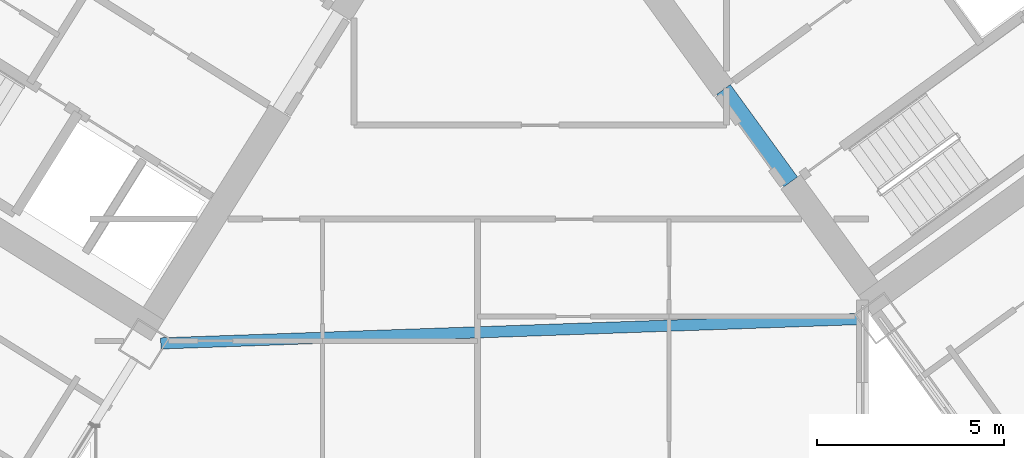
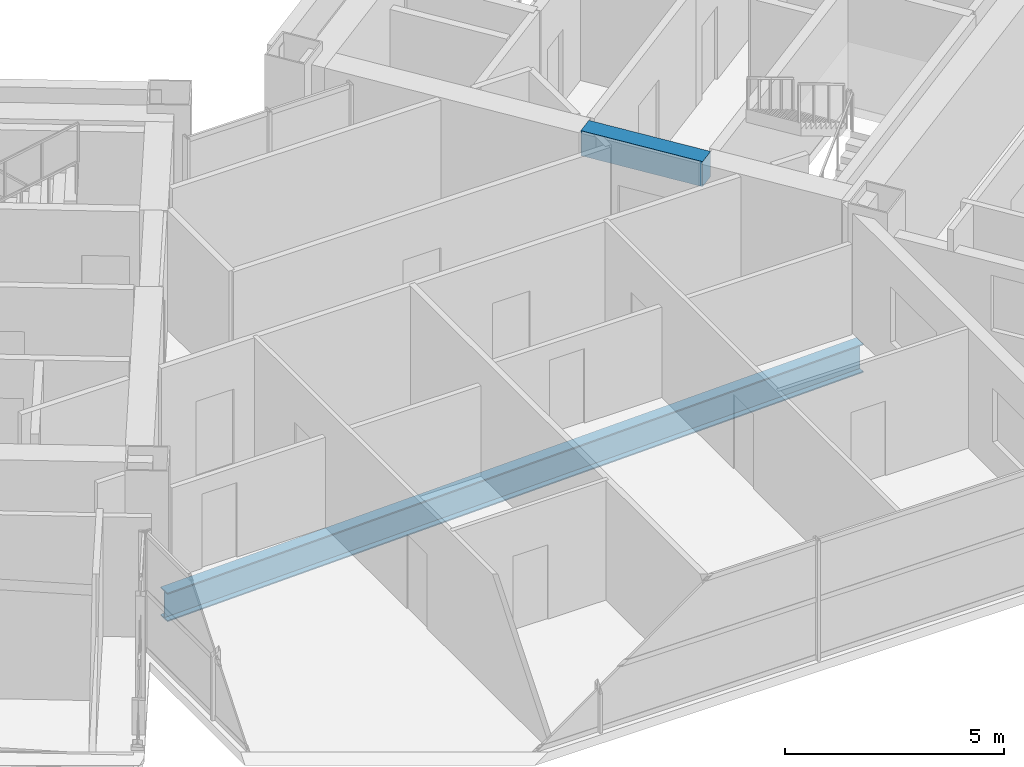
# One storey, part 8 of 28: 2 beams.
"""IFC4 building model written with IfcOpenShell, lengths in metres."""

from ifc_helpers import new_model, si_unit, direction, frame, origin, origin_2d, place, context, subcontext, project, spatial, rectangle, i_section, extrude, source, transform, mapped, material, material_profile, profile_set, type_object, element, save


model = new_model("IFC4")

# Units and contexts
model_context = context("Model", 3, precision=1e-05, world=origin(), true_north=direction((0.0, 1.0)))
body_context = subcontext(model_context, "Body", "Model", "MODEL_VIEW")
ifc_project = project(units=[si_unit("LENGTHUNIT", "METRE"), si_unit("AREAUNIT", "SQUARE_METRE"), si_unit("VOLUMEUNIT", "CUBIC_METRE"), si_unit("PLANEANGLEUNIT", "RADIAN"), si_unit("MASSUNIT", "GRAM", prefix="KILO")], contexts=[model_context])

# Site, building, storey
site_placement = place(None, origin())
site = spatial("IfcSite", under=ifc_project, at=site_placement, CompositionType="ELEMENT")
building_placement = place(site_placement, origin())
building = spatial("IfcBuilding", under=site, at=building_placement, Name="Tlacorven Tower", CompositionType="ELEMENT")
storey_placement = place(building_placement, frame((0.0, 0.0, 42.0)))
storey = spatial("IfcBuildingStorey", under=building, at=storey_placement, Name="L10", CompositionType="ELEMENT", Elevation=42.0)

# Beams
ifc_material_1 = material(Name="Concrete C60/75", Category="concrete")
ifc_material_profile_1 = material_profile(ifc_material_1, rectangle(XDim=0.449951171875, YDim=0.699951171875, at=origin_2d()), Name="RC 450X700")
ifc_profile_set_1 = profile_set([ifc_material_profile_1], Name="Concrete C60/75")
beam_type_1 = type_object("IfcBeamType", Name="BM-LNT-700", PredefinedType="LINTEL", material=ifc_profile_set_1)
shared_shape_1 = source(origin(), body_context, "Body", "SweptSolid", [
    extrude(rectangle(XDim=0.449951171875, YDim=0.699951171875, at=origin_2d()), origin(), (0.0, 0.0, 1.0), 3.050048828125),
])
beam_1_placement = place(storey_placement, frame((50.318359375, 16.416015625, 3.0), z_axis=(-0.587776590479, 0.80902328748, 0.0), x_axis=(-0.80902328748, -0.587776590479, 0.0)))
element("IfcBeam", 1, at=beam_1_placement, inside=storey, type_object=beam_type_1, Name="L10 E core coupling lintel beam E1", PredefinedType="LINTEL", context=body_context, shape_type="MappedRepresentation", body=[
    mapped(shared_shape_1, transform((0.0, 0.0, 0.0), scale=1.0)),
])
ifc_material_2 = material(Name="Steel S355J2", Category="steel")
ifc_material_profile_2 = material_profile(ifc_material_2, i_section(OverallWidth=0.300048828125, OverallDepth=0.800048828125, WebThickness=0.017578125, FlangeThickness=0.032958984375, at=origin_2d()), Name="HEB 800")
ifc_profile_set_2 = profile_set([ifc_material_profile_2], Name="Steel S355J2")
beam_type_2 = type_object("IfcBeamType", Name="BM-POD-800", PredefinedType="BEAM", material=ifc_profile_set_2)
shared_shape_2 = source(origin(), body_context, "Body", "SweptSolid", [
    extrude(i_section(OverallWidth=0.300048828125, OverallDepth=0.800048828125, WebThickness=0.017578125, FlangeThickness=0.032958984375, at=origin_2d()), origin(), (0.0, 0.0, 1.0), 18.771240234375),
])
beam_2_placement = place(storey_placement, frame((33.495849609375, 12.1025390625, -0.64990234375), z_axis=(0.999390514848, 0.034908434954, 0.0), x_axis=(-0.034908434954, 0.999390514848, 0.0)))
element("IfcBeam", 2, at=beam_2_placement, inside=storey, type_object=beam_type_2, Name="L10 Knuckle Link Girder 2", PredefinedType="BEAM", context=body_context, shape_type="MappedRepresentation", body=[
    mapped(shared_shape_2, transform((0.0, 0.0, 0.0), scale=1.0)),
])

save(model, "model.ifc")
